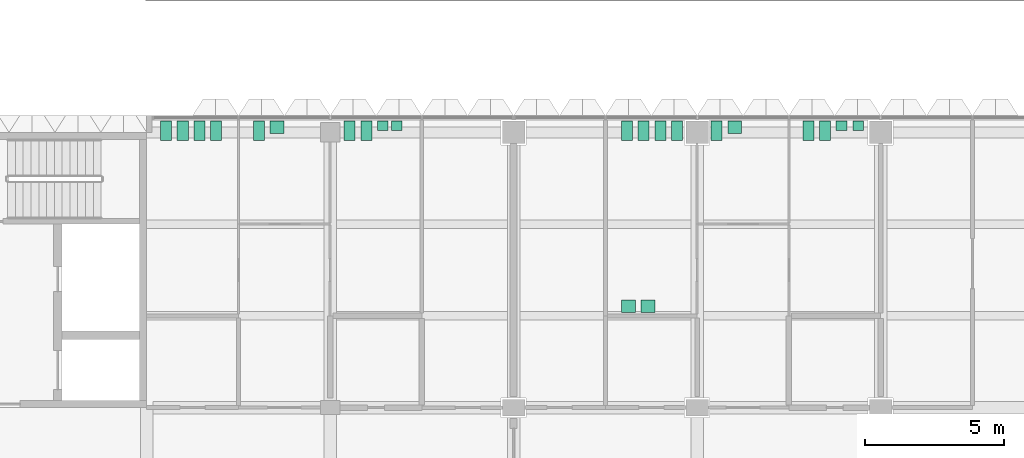
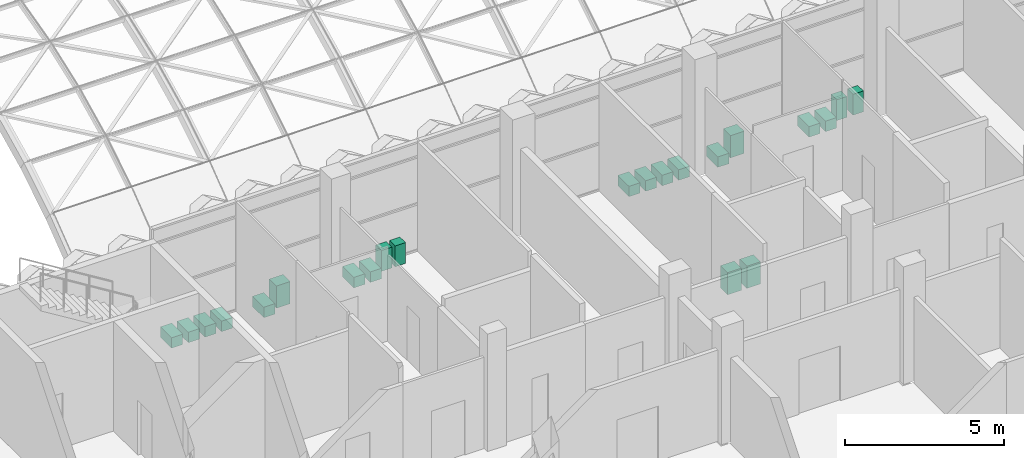
# One storey, part 85 of 85: 22 sanitary terminals.
"""IFC4 building model written with IfcOpenShell, lengths in metres."""

from ifc_helpers import new_model, si_unit, direction, frame, origin, origin_2d, place, context, subcontext, project, spatial, rectangle, extrude, element, save


model = new_model("IFC4")

# Units and contexts
model_context = context("Model", 3, precision=1e-05, world=origin(), true_north=direction((0.0, 1.0)))
body_context = subcontext(model_context, "Body", "Model", "MODEL_VIEW")
ifc_project = project(units=[si_unit("LENGTHUNIT", "METRE"), si_unit("AREAUNIT", "SQUARE_METRE"), si_unit("VOLUMEUNIT", "CUBIC_METRE"), si_unit("PLANEANGLEUNIT", "RADIAN"), si_unit("MASSUNIT", "GRAM", prefix="KILO")], contexts=[model_context])

# Site, building, storey
site_placement = place(None, origin())
site = spatial("IfcSite", under=ifc_project, at=site_placement, CompositionType="ELEMENT")
building_placement = place(site_placement, origin())
building = spatial("IfcBuilding", under=site, at=building_placement, Name="Lantern Court Research Institute", CompositionType="ELEMENT")
storey_placement = place(building_placement, frame((0.0, 0.0, 18.89990234375)))
storey = spatial("IfcBuildingStorey", under=building, at=storey_placement, Name="L04", CompositionType="ELEMENT", Elevation=18.89990234375)

# Sanitary terminals
for number, where, z_axis, x_axis, name in (
    (1, (40.300048828125, 23.159912109375, 0.000244140625), (0.0, 0.0, 1.0), (1.0, 0.0, 0.0), "WC pan W4.08"),
    (2, (40.89990234375, 23.159912109375, 0.000244140625), (0.0, 0.0, 1.0), (1.0, 0.0, 0.0), "WC pan W4.08"),
    (3, (41.5, 23.159912109375, 0.000244140625), (0.0, 0.0, 1.0), (1.0, 0.0, 0.0), "WC pan W4.08"),
    (4, (42.10009765625, 23.159912109375, 0.000244140625), (0.0, 0.0, 1.0), (1.0, 0.0, 0.0), "WC pan W4.08"),
    (5, (43.637451171875, 23.159912109375, 0.000244140625), (0.0, 0.0, 1.0), (1.0, 0.0, 0.0), "WC pan W4.10"),
):
    element("IfcSanitaryTerminal", number, at=place(storey_placement, frame(where, z_axis=z_axis, x_axis=x_axis)), inside=storey, Name=name, PredefinedType="TOILETPAN", context=body_context, shape_type="SweptSolid", body=[
        extrude(rectangle(XDim=0.39990234375, YDim=0.699951171875, at=origin_2d()), origin(), (0.0, 0.0, 1.0), 0.39990234375),
    ])
sanitary_terminal_1_placement = place(storey_placement, frame((44.28759765625, 23.284912109375, 0.0), z_axis=(0.0, 0.0, 1.0), x_axis=(1.0, 0.0, 0.0)))
element("IfcSanitaryTerminal", 6, at=sanitary_terminal_1_placement, inside=storey, Name="Wash basin W4.10", PredefinedType="WASHHANDBASIN", context=body_context, shape_type="SweptSolid", body=[
    extrude(rectangle(XDim=0.5, YDim=0.449951171875, at=origin_2d()), origin(), (0.0, 0.0, 1.0), 0.85009765625),
])
for number, where, z_axis, x_axis, name in (
    (7, (46.89990234375, 23.159912109375, 0.000244140625), (0.0, 0.0, 1.0), (1.0, 0.0, 0.0), "WC pan W4.12"),
    (8, (47.5, 23.159912109375, 0.000244140625), (0.0, 0.0, 1.0), (1.0, 0.0, 0.0), "WC pan W4.12"),
):
    element("IfcSanitaryTerminal", number, at=place(storey_placement, frame(where, z_axis=z_axis, x_axis=x_axis)), inside=storey, Name=name, PredefinedType="TOILETPAN", context=body_context, shape_type="SweptSolid", body=[
        extrude(rectangle(XDim=0.39990234375, YDim=0.699951171875, at=origin_2d()), origin(), (0.0, 0.0, 1.0), 0.39990234375),
    ])
for number, where, z_axis, x_axis, name in (
    (9, (48.090087890625, 23.3349609375, 0.0), (0.0, 0.0, 1.0), (1.0, 0.0, 0.0), "Urinal W4.12"),
    (10, (48.590087890625, 23.3349609375, 0.0), (0.0, 0.0, 1.0), (1.0, 0.0, 0.0), "Urinal W4.12"),
):
    element("IfcSanitaryTerminal", number, at=place(storey_placement, frame(where, z_axis=z_axis, x_axis=x_axis)), inside=storey, Name=name, PredefinedType="URINAL", context=body_context, shape_type="SweptSolid", body=[
        extrude(rectangle(XDim=0.3798828125, YDim=0.35009765625, at=origin_2d()), origin(), (0.0, 0.0, 1.0), 0.800048828125),
    ])
for number, where, z_axis, x_axis, name in (
    (11, (56.875, 23.159912109375, 0.000244140625), (0.0, 0.0, 1.0), (1.0, 0.0, 0.0), "WC pan T4.04"),
    (12, (57.47509765625, 23.159912109375, 0.000244140625), (0.0, 0.0, 1.0), (1.0, 0.0, 0.0), "WC pan T4.04"),
    (13, (58.074951171875, 23.159912109375, 0.000244140625), (0.0, 0.0, 1.0), (1.0, 0.0, 0.0), "WC pan T4.04"),
    (14, (58.675048828125, 23.159912109375, 0.000244140625), (0.0, 0.0, 1.0), (1.0, 0.0, 0.0), "WC pan T4.04"),
):
    element("IfcSanitaryTerminal", number, at=place(storey_placement, frame(where, z_axis=z_axis, x_axis=x_axis)), inside=storey, Name=name, PredefinedType="TOILETPAN", context=body_context, shape_type="SweptSolid", body=[
        extrude(rectangle(XDim=0.39990234375, YDim=0.699951171875, at=origin_2d()), origin(), (0.0, 0.0, 1.0), 0.39990234375),
    ])
for number, where, z_axis, x_axis, name in (
    (15, (56.925048828125, 16.840087890625, 0.0), (0.0, 0.0, 1.0), (1.0, 0.0, 0.0), "Wash basin T4.04"),
    (16, (57.625, 16.840087890625, 0.0), (0.0, 0.0, 1.0), (1.0, 0.0, 0.0), "Wash basin T4.04"),
):
    element("IfcSanitaryTerminal", number, at=place(storey_placement, frame(where, z_axis=z_axis, x_axis=x_axis)), inside=storey, Name=name, PredefinedType="WASHHANDBASIN", context=body_context, shape_type="SweptSolid", body=[
        extrude(rectangle(XDim=0.5, YDim=0.449951171875, at=origin_2d()), origin(), (0.0, 0.0, 1.0), 0.85009765625),
    ])
sanitary_terminal_2_placement = place(storey_placement, frame((60.10009765625, 23.159912109375, 0.000244140625), z_axis=(0.0, 0.0, 1.0), x_axis=(1.0, 0.0, 0.0)))
element("IfcSanitaryTerminal", 17, at=sanitary_terminal_2_placement, inside=storey, Name="WC pan T4.06", PredefinedType="TOILETPAN", context=body_context, shape_type="SweptSolid", body=[
    extrude(rectangle(XDim=0.39990234375, YDim=0.699951171875, at=origin_2d()), origin(), (0.0, 0.0, 1.0), 0.39990234375),
])
sanitary_terminal_3_placement = place(storey_placement, frame((60.75, 23.284912109375, 0.0), z_axis=(0.0, 0.0, 1.0), x_axis=(1.0, 0.0, 0.0)))
element("IfcSanitaryTerminal", 18, at=sanitary_terminal_3_placement, inside=storey, Name="Wash basin T4.06", PredefinedType="WASHHANDBASIN", context=body_context, shape_type="SweptSolid", body=[
    extrude(rectangle(XDim=0.5, YDim=0.449951171875, at=origin_2d()), origin(), (0.0, 0.0, 1.0), 0.85009765625),
])
for number, where, z_axis, x_axis, name in (
    (19, (63.39990234375, 23.159912109375, 0.000244140625), (0.0, 0.0, 1.0), (1.0, 0.0, 0.0), "WC pan T4.08"),
    (20, (64.0, 23.159912109375, 0.000244140625), (0.0, 0.0, 1.0), (1.0, 0.0, 0.0), "WC pan T4.08"),
):
    element("IfcSanitaryTerminal", number, at=place(storey_placement, frame(where, z_axis=z_axis, x_axis=x_axis)), inside=storey, Name=name, PredefinedType="TOILETPAN", context=body_context, shape_type="SweptSolid", body=[
        extrude(rectangle(XDim=0.39990234375, YDim=0.699951171875, at=origin_2d()), origin(), (0.0, 0.0, 1.0), 0.39990234375),
    ])
for number, where, z_axis, x_axis, name in (
    (21, (64.590087890625, 23.3349609375, 0.0), (0.0, 0.0, 1.0), (1.0, 0.0, 0.0), "Urinal T4.08"),
    (22, (65.18994140625, 23.3349609375, 0.0), (0.0, 0.0, 1.0), (1.0, 0.0, 0.0), "Urinal T4.08"),
):
    element("IfcSanitaryTerminal", number, at=place(storey_placement, frame(where, z_axis=z_axis, x_axis=x_axis)), inside=storey, Name=name, PredefinedType="URINAL", context=body_context, shape_type="SweptSolid", body=[
        extrude(rectangle(XDim=0.3798828125, YDim=0.35009765625, at=origin_2d()), origin(), (0.0, 0.0, 1.0), 0.800048828125),
    ])

save(model, "model.ifc")
